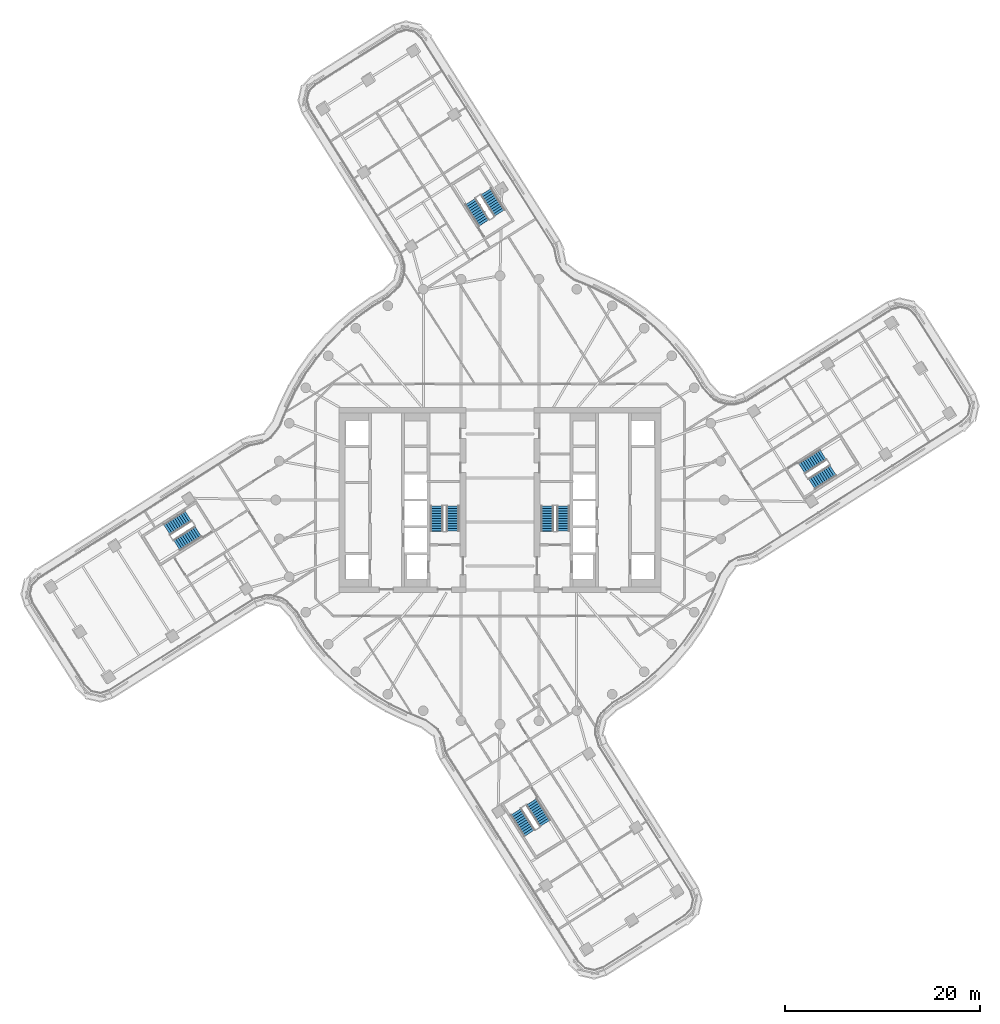
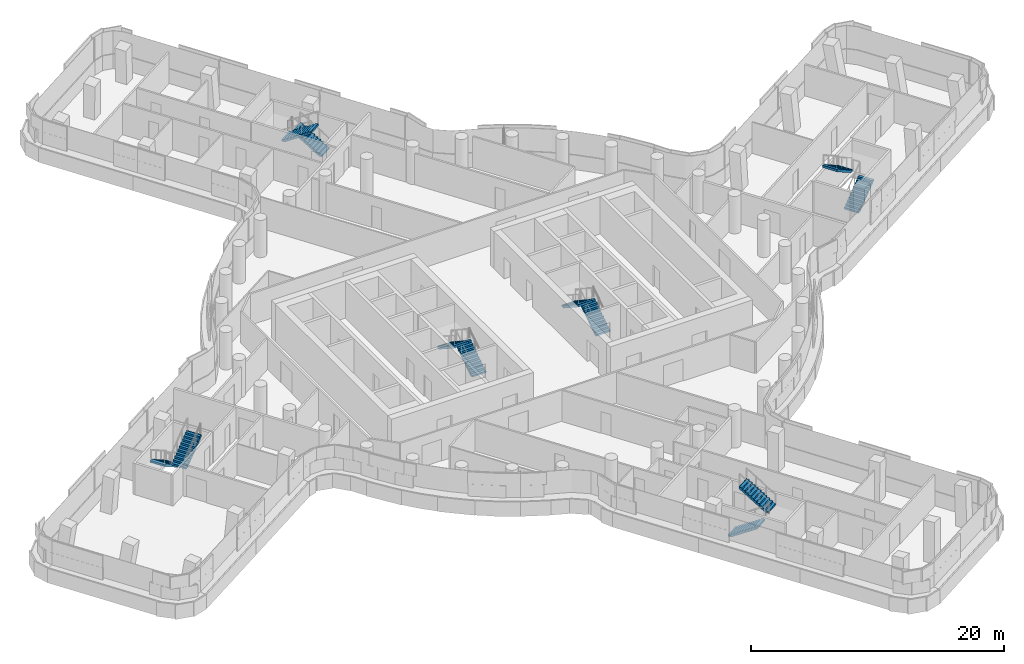
# One storey, part 28 of 36: 12 stair flights, 6 elements without a shape of their own.
"""IFC4 building model written with IfcOpenShell, lengths in metres."""

from ifc_helpers import new_model, si_unit, direction, frame, origin, place, context, subcontext, project, spatial, polyline, outline, extrude, material, type_object, element, aggregate, save


model = new_model("IFC4")

# Units and contexts
model_context = context("Model", 3, precision=1e-05, world=origin(), true_north=direction((0.0, 1.0)))
body_context = subcontext(model_context, "Body", "Model", "MODEL_VIEW")
ifc_project = project(units=[si_unit("LENGTHUNIT", "METRE"), si_unit("AREAUNIT", "SQUARE_METRE"), si_unit("VOLUMEUNIT", "CUBIC_METRE"), si_unit("PLANEANGLEUNIT", "RADIAN"), si_unit("MASSUNIT", "GRAM", prefix="KILO")], contexts=[model_context])

# Site, building, storey
site_placement = place(None, origin())
site = spatial("IfcSite", under=ifc_project, at=site_placement, CompositionType="ELEMENT")
building_placement = place(site_placement, origin())
building = spatial("IfcBuilding", under=site, at=building_placement, Name="Tamarind Cross Interchange Tower", CompositionType="ELEMENT")
storey_placement = place(building_placement, frame((0.0, 0.0, 151.75)))
storey = spatial("IfcBuildingStorey", under=building, at=storey_placement, Name="L37", CompositionType="ELEMENT", Elevation=151.75)

# Stair, stair flights
ifc_material_1 = material(Name="Exit stair")
stair_type = type_object("IfcStairType", Name="Exit stair", PredefinedType="HALF_TURN_STAIR", material=ifc_material_1)
stair_1_placement = place(storey_placement, origin())
stair_1 = element("IfcStair", 1, at=stair_1_placement, inside=storey, type_object=stair_type, Name="L37 exit stair ST1", PredefinedType="HALF_TURN_STAIR")
ifc_material_2 = material(Name="Exit stair flight")
stair_flight_type = type_object("IfcStairFlightType", Name="Exit stair flight", PredefinedType="STRAIGHT", material=ifc_material_2)
stair_flight_1_placement = place(storey_placement, frame((-4.85009765625, -3.199951171875, 0.0), z_axis=(0.0, 0.0, 1.0), x_axis=(0.0, 1.0, 0.0)))
stair_flight_1 = element("IfcStairFlight", 2, at=stair_flight_1_placement, type_object=stair_flight_type, Name="ST1 flight 1", NumberOfRisers=11, NumberOfTreads=10, PredefinedType="STRAIGHT", RiserHeight=0.170454545, TreadLength=0.26, context=body_context, shape_type="SweptSolid", body=[
    extrude(outline(polyline([(0.0, 0.0), (0.0, 0.17041015625), (0.260009765625, 0.17041015625), (0.260009765625, 0.3408203125), (0.52001953125, 0.3408203125), (0.52001953125, 0.511474609375), (0.780029296875, 0.511474609375), (0.780029296875, 0.681884765625), (1.0400390625, 0.681884765625), (1.0400390625, 0.852294921875), (1.300048828125, 0.852294921875), (1.300048828125, 1.022705078125), (1.56005859375, 1.022705078125), (1.56005859375, 1.193115234375), (1.820068359375, 1.193115234375), (1.820068359375, 1.363525390625), (2.080078125, 1.363525390625), (2.080078125, 1.5341796875), (2.340087890625, 1.5341796875), (2.340087890625, 1.70458984375), (2.60009765625, 1.70458984375), (2.60009765625, 1.875), (2.60009765625, 1.525390625), (0.2734375, 0.0), (0.0, 0.0)])), frame((0.0, 0.64990234375, 0.0), z_axis=(0.0, -1.0, 0.0), x_axis=(1.0, 0.0, 0.0)), (0.0, 0.0, 1.0), 1.300048828125),
])
stair_flight_2_placement = place(storey_placement, frame((-6.5, -0.60009765625, 1.875), z_axis=(0.0, 0.0, 1.0), x_axis=(0.0, -1.0, 0.0)))
stair_flight_2 = element("IfcStairFlight", 3, at=stair_flight_2_placement, type_object=stair_flight_type, Name="ST1 flight 2", NumberOfRisers=11, NumberOfTreads=10, PredefinedType="STRAIGHT", RiserHeight=0.170454545, TreadLength=0.26, context=body_context, shape_type="SweptSolid", body=[
    extrude(outline(polyline([(0.0, 0.0), (0.0, 0.17041015625), (0.260009765625, 0.17041015625), (0.260009765625, 0.3408203125), (0.52001953125, 0.3408203125), (0.52001953125, 0.511474609375), (0.780029296875, 0.511474609375), (0.780029296875, 0.681884765625), (1.0400390625, 0.681884765625), (1.0400390625, 0.852294921875), (1.300048828125, 0.852294921875), (1.300048828125, 1.022705078125), (1.56005859375, 1.022705078125), (1.56005859375, 1.193115234375), (1.820068359375, 1.193115234375), (1.820068359375, 1.363525390625), (2.080078125, 1.363525390625), (2.080078125, 1.5341796875), (2.340087890625, 1.5341796875), (2.340087890625, 1.70458984375), (2.60009765625, 1.70458984375), (2.60009765625, 1.7548828125), (2.612060546875, 1.7548828125), (2.612060546875, 1.533203125), (0.2734375, 0.0), (0.0, 0.0)])), frame((0.0, 0.64990234375, 0.0), z_axis=(0.0, -1.0, 0.0), x_axis=(1.0, 0.0, 0.0)), (0.0, 0.0, 1.0), 1.300048828125),
])
aggregate(stair_1, [stair_flight_1, stair_flight_2])

stair_2_placement = place(storey_placement, origin())
stair_2 = element("IfcStair", 4, at=stair_2_placement, inside=storey, type_object=stair_type, Name="L37 exit stair ST2", PredefinedType="HALF_TURN_STAIR")
stair_flight_3_placement = place(storey_placement, frame((6.5, -3.199951171875, 0.0), z_axis=(0.0, 0.0, 1.0), x_axis=(0.0, 1.0, 0.0)))
stair_flight_3 = element("IfcStairFlight", 5, at=stair_flight_3_placement, type_object=stair_flight_type, Name="ST2 flight 1", NumberOfRisers=11, NumberOfTreads=10, PredefinedType="STRAIGHT", RiserHeight=0.170454545, TreadLength=0.26, context=body_context, shape_type="SweptSolid", body=[
    extrude(outline(polyline([(0.0, 0.0), (0.0, 0.17041015625), (0.260009765625, 0.17041015625), (0.260009765625, 0.3408203125), (0.52001953125, 0.3408203125), (0.52001953125, 0.511474609375), (0.780029296875, 0.511474609375), (0.780029296875, 0.681884765625), (1.0400390625, 0.681884765625), (1.0400390625, 0.852294921875), (1.300048828125, 0.852294921875), (1.300048828125, 1.022705078125), (1.56005859375, 1.022705078125), (1.56005859375, 1.193115234375), (1.820068359375, 1.193115234375), (1.820068359375, 1.363525390625), (2.080078125, 1.363525390625), (2.080078125, 1.5341796875), (2.340087890625, 1.5341796875), (2.340087890625, 1.70458984375), (2.60009765625, 1.70458984375), (2.60009765625, 1.875), (2.60009765625, 1.525390625), (0.2734375, 0.0), (0.0, 0.0)])), frame((0.0, 0.64990234375, 0.0), z_axis=(0.0, -1.0, 0.0), x_axis=(1.0, 0.0, 0.0)), (0.0, 0.0, 1.0), 1.300048828125),
])
stair_flight_4_placement = place(storey_placement, frame((4.85009765625, -0.60009765625, 1.875), z_axis=(0.0, 0.0, 1.0), x_axis=(0.0, -1.0, 0.0)))
stair_flight_4 = element("IfcStairFlight", 6, at=stair_flight_4_placement, type_object=stair_flight_type, Name="ST2 flight 2", NumberOfRisers=11, NumberOfTreads=10, PredefinedType="STRAIGHT", RiserHeight=0.170454545, TreadLength=0.26, context=body_context, shape_type="SweptSolid", body=[
    extrude(outline(polyline([(0.0, 0.0), (0.0, 0.17041015625), (0.260009765625, 0.17041015625), (0.260009765625, 0.3408203125), (0.52001953125, 0.3408203125), (0.52001953125, 0.511474609375), (0.780029296875, 0.511474609375), (0.780029296875, 0.681884765625), (1.0400390625, 0.681884765625), (1.0400390625, 0.852294921875), (1.300048828125, 0.852294921875), (1.300048828125, 1.022705078125), (1.56005859375, 1.022705078125), (1.56005859375, 1.193115234375), (1.820068359375, 1.193115234375), (1.820068359375, 1.363525390625), (2.080078125, 1.363525390625), (2.080078125, 1.5341796875), (2.340087890625, 1.5341796875), (2.340087890625, 1.70458984375), (2.60009765625, 1.70458984375), (2.60009765625, 1.7548828125), (2.612060546875, 1.7548828125), (2.612060546875, 1.533203125), (0.2734375, 0.0), (0.0, 0.0)])), frame((0.0, 0.64990234375, 0.0), z_axis=(0.0, -1.0, 0.0), x_axis=(1.0, 0.0, 0.0)), (0.0, 0.0, 1.0), 1.300048828125),
])
aggregate(stair_2, [stair_flight_3, stair_flight_4])

stair_3_placement = place(storey_placement, origin())
stair_3 = element("IfcStair", 7, at=stair_3_placement, inside=storey, type_object=stair_type, Name="L37 exit stair ST3", PredefinedType="HALF_TURN_STAIR")
stair_flight_5_placement = place(storey_placement, frame((31.968994140625, 1.646240234375, 0.0), z_axis=(0.0, 0.0, 1.0), x_axis=(0.844432651118, 0.535661738157, 0.0)))
stair_flight_5 = element("IfcStairFlight", 8, at=stair_flight_5_placement, type_object=stair_flight_type, Name="ST3 flight 1", NumberOfRisers=11, NumberOfTreads=10, PredefinedType="STRAIGHT", RiserHeight=0.170454545, TreadLength=0.26, context=body_context, shape_type="SweptSolid", body=[
    extrude(outline(polyline([(0.0, 0.0), (0.0, 0.17041015625), (0.260009765625, 0.17041015625), (0.260009765625, 0.3408203125), (0.52001953125, 0.3408203125), (0.52001953125, 0.511474609375), (0.780029296875, 0.511474609375), (0.780029296875, 0.681884765625), (1.0400390625, 0.681884765625), (1.0400390625, 0.852294921875), (1.300048828125, 0.852294921875), (1.300048828125, 1.022705078125), (1.56005859375, 1.022705078125), (1.56005859375, 1.193115234375), (1.820068359375, 1.193115234375), (1.820068359375, 1.363525390625), (2.080078125, 1.363525390625), (2.080078125, 1.5341796875), (2.340087890625, 1.5341796875), (2.340087890625, 1.70458984375), (2.60009765625, 1.70458984375), (2.60009765625, 1.875), (2.60009765625, 1.525390625), (0.2734375, 0.0), (0.0, 0.0)])), frame((0.0, 0.64990234375, 0.0), z_axis=(0.0, -1.0, 0.0), x_axis=(1.0, 0.0, 0.0)), (0.0, 0.0, 1.0), 1.300048828125),
])
stair_flight_6_placement = place(storey_placement, frame((33.14697265625, 4.643310546875, 1.875), z_axis=(0.0, 0.0, 1.0), x_axis=(-0.844432651118, -0.535661738157, 0.0)))
stair_flight_6 = element("IfcStairFlight", 9, at=stair_flight_6_placement, type_object=stair_flight_type, Name="ST3 flight 2", NumberOfRisers=11, NumberOfTreads=10, PredefinedType="STRAIGHT", RiserHeight=0.170454545, TreadLength=0.26, context=body_context, shape_type="SweptSolid", body=[
    extrude(outline(polyline([(0.0, 0.0), (0.0, 0.17041015625), (0.260009765625, 0.17041015625), (0.260009765625, 0.3408203125), (0.52001953125, 0.3408203125), (0.52001953125, 0.511474609375), (0.780029296875, 0.511474609375), (0.780029296875, 0.681884765625), (1.0400390625, 0.681884765625), (1.0400390625, 0.852294921875), (1.300048828125, 0.852294921875), (1.300048828125, 1.022705078125), (1.56005859375, 1.022705078125), (1.56005859375, 1.193115234375), (1.820068359375, 1.193115234375), (1.820068359375, 1.363525390625), (2.080078125, 1.363525390625), (2.080078125, 1.5341796875), (2.340087890625, 1.5341796875), (2.340087890625, 1.70458984375), (2.60009765625, 1.70458984375), (2.60009765625, 1.7548828125), (2.612060546875, 1.7548828125), (2.612060546875, 1.533203125), (0.2734375, 0.0), (0.0, 0.0)])), frame((0.0, 0.64990234375, 0.0), z_axis=(0.0, -1.0, 0.0), x_axis=(1.0, 0.0, 0.0)), (0.0, 0.0, 1.0), 1.300048828125),
])
aggregate(stair_3, [stair_flight_5, stair_flight_6])

stair_4_placement = place(storey_placement, origin())
stair_4 = element("IfcStair", 10, at=stair_4_placement, inside=storey, type_object=stair_type, Name="L37 exit stair ST4", PredefinedType="HALF_TURN_STAIR")
stair_flight_7_placement = place(storey_placement, frame((-0.0390625, 29.435791015625, 0.0), z_axis=(0.0, 0.0, 1.0), x_axis=(-0.535661738157, 0.844432651118, 0.0)))
stair_flight_7 = element("IfcStairFlight", 11, at=stair_flight_7_placement, type_object=stair_flight_type, Name="ST4 flight 1", NumberOfRisers=11, NumberOfTreads=10, PredefinedType="STRAIGHT", RiserHeight=0.170454545, TreadLength=0.26, context=body_context, shape_type="SweptSolid", body=[
    extrude(outline(polyline([(0.0, 0.0), (0.0, 0.17041015625), (0.260009765625, 0.17041015625), (0.260009765625, 0.3408203125), (0.52001953125, 0.3408203125), (0.52001953125, 0.511474609375), (0.780029296875, 0.511474609375), (0.780029296875, 0.681884765625), (1.0400390625, 0.681884765625), (1.0400390625, 0.852294921875), (1.300048828125, 0.852294921875), (1.300048828125, 1.022705078125), (1.56005859375, 1.022705078125), (1.56005859375, 1.193115234375), (1.820068359375, 1.193115234375), (1.820068359375, 1.363525390625), (2.080078125, 1.363525390625), (2.080078125, 1.5341796875), (2.340087890625, 1.5341796875), (2.340087890625, 1.70458984375), (2.60009765625, 1.70458984375), (2.60009765625, 1.875), (2.60009765625, 1.525390625), (0.2734375, 0.0), (0.0, 0.0)])), frame((0.0, 0.64990234375, 0.0), z_axis=(0.0, -1.0, 0.0), x_axis=(1.0, 0.0, 0.0)), (0.0, 0.0, 1.0), 1.300048828125),
])
stair_flight_8_placement = place(storey_placement, frame((-3.036376953125, 30.613525390625, 1.875), z_axis=(0.0, 0.0, 1.0), x_axis=(0.535661738157, -0.844432651118, 0.0)))
stair_flight_8 = element("IfcStairFlight", 12, at=stair_flight_8_placement, type_object=stair_flight_type, Name="ST4 flight 2", NumberOfRisers=11, NumberOfTreads=10, PredefinedType="STRAIGHT", RiserHeight=0.170454545, TreadLength=0.26, context=body_context, shape_type="SweptSolid", body=[
    extrude(outline(polyline([(0.0, 0.0), (0.0, 0.17041015625), (0.260009765625, 0.17041015625), (0.260009765625, 0.3408203125), (0.52001953125, 0.3408203125), (0.52001953125, 0.511474609375), (0.780029296875, 0.511474609375), (0.780029296875, 0.681884765625), (1.0400390625, 0.681884765625), (1.0400390625, 0.852294921875), (1.300048828125, 0.852294921875), (1.300048828125, 1.022705078125), (1.56005859375, 1.022705078125), (1.56005859375, 1.193115234375), (1.820068359375, 1.193115234375), (1.820068359375, 1.363525390625), (2.080078125, 1.363525390625), (2.080078125, 1.5341796875), (2.340087890625, 1.5341796875), (2.340087890625, 1.70458984375), (2.60009765625, 1.70458984375), (2.60009765625, 1.7548828125), (2.612060546875, 1.7548828125), (2.612060546875, 1.533203125), (0.2734375, 0.0), (0.0, 0.0)])), frame((0.0, 0.64990234375, 0.0), z_axis=(0.0, -1.0, 0.0), x_axis=(1.0, 0.0, 0.0)), (0.0, 0.0, 1.0), 1.300048828125),
])
aggregate(stair_4, [stair_flight_7, stair_flight_8])

stair_5_placement = place(storey_placement, origin())
stair_5 = element("IfcStair", 13, at=stair_5_placement, inside=storey, type_object=stair_type, Name="L37 exit stair ST5", PredefinedType="HALF_TURN_STAIR")
stair_flight_9_placement = place(storey_placement, frame((-31.968994140625, -1.646240234375, 0.0), z_axis=(0.0, 0.0, 1.0), x_axis=(-0.844432651118, -0.535661738157, 0.0)))
stair_flight_9 = element("IfcStairFlight", 14, at=stair_flight_9_placement, type_object=stair_flight_type, Name="ST5 flight 1", NumberOfRisers=11, NumberOfTreads=10, PredefinedType="STRAIGHT", RiserHeight=0.170454545, TreadLength=0.26, context=body_context, shape_type="SweptSolid", body=[
    extrude(outline(polyline([(0.0, 0.0), (0.0, 0.17041015625), (0.260009765625, 0.17041015625), (0.260009765625, 0.3408203125), (0.52001953125, 0.3408203125), (0.52001953125, 0.511474609375), (0.780029296875, 0.511474609375), (0.780029296875, 0.681884765625), (1.0400390625, 0.681884765625), (1.0400390625, 0.852294921875), (1.300048828125, 0.852294921875), (1.300048828125, 1.022705078125), (1.56005859375, 1.022705078125), (1.56005859375, 1.193115234375), (1.820068359375, 1.193115234375), (1.820068359375, 1.363525390625), (2.080078125, 1.363525390625), (2.080078125, 1.5341796875), (2.340087890625, 1.5341796875), (2.340087890625, 1.70458984375), (2.60009765625, 1.70458984375), (2.60009765625, 1.875), (2.60009765625, 1.525390625), (0.2734375, 0.0), (0.0, 0.0)])), frame((0.0, 0.64990234375, 0.0), z_axis=(0.0, -1.0, 0.0), x_axis=(1.0, 0.0, 0.0)), (0.0, 0.0, 1.0), 1.300048828125),
])
stair_flight_10_placement = place(storey_placement, frame((-33.14697265625, -4.643310546875, 1.875), z_axis=(0.0, 0.0, 1.0), x_axis=(0.844432651118, 0.535661738157, 0.0)))
stair_flight_10 = element("IfcStairFlight", 15, at=stair_flight_10_placement, type_object=stair_flight_type, Name="ST5 flight 2", NumberOfRisers=11, NumberOfTreads=10, PredefinedType="STRAIGHT", RiserHeight=0.170454545, TreadLength=0.26, context=body_context, shape_type="SweptSolid", body=[
    extrude(outline(polyline([(0.0, 0.0), (0.0, 0.17041015625), (0.260009765625, 0.17041015625), (0.260009765625, 0.3408203125), (0.52001953125, 0.3408203125), (0.52001953125, 0.511474609375), (0.780029296875, 0.511474609375), (0.780029296875, 0.681884765625), (1.0400390625, 0.681884765625), (1.0400390625, 0.852294921875), (1.300048828125, 0.852294921875), (1.300048828125, 1.022705078125), (1.56005859375, 1.022705078125), (1.56005859375, 1.193115234375), (1.820068359375, 1.193115234375), (1.820068359375, 1.363525390625), (2.080078125, 1.363525390625), (2.080078125, 1.5341796875), (2.340087890625, 1.5341796875), (2.340087890625, 1.70458984375), (2.60009765625, 1.70458984375), (2.60009765625, 1.7548828125), (2.612060546875, 1.7548828125), (2.612060546875, 1.533203125), (0.2734375, 0.0), (0.0, 0.0)])), frame((0.0, 0.64990234375, 0.0), z_axis=(0.0, -1.0, 0.0), x_axis=(1.0, 0.0, 0.0)), (0.0, 0.0, 1.0), 1.300048828125),
])
aggregate(stair_5, [stair_flight_9, stair_flight_10])

stair_6_placement = place(storey_placement, origin())
stair_6 = element("IfcStair", 16, at=stair_6_placement, inside=storey, type_object=stair_type, Name="L37 exit stair ST6", PredefinedType="HALF_TURN_STAIR")
stair_flight_11_placement = place(storey_placement, frame((1.646240234375, -31.968994140625, 0.0), z_axis=(0.0, 0.0, 1.0), x_axis=(0.535661738157, -0.844432651118, 0.0)))
stair_flight_11 = element("IfcStairFlight", 17, at=stair_flight_11_placement, type_object=stair_flight_type, Name="ST6 flight 1", NumberOfRisers=11, NumberOfTreads=10, PredefinedType="STRAIGHT", RiserHeight=0.170454545, TreadLength=0.26, context=body_context, shape_type="SweptSolid", body=[
    extrude(outline(polyline([(0.0, 0.0), (0.0, 0.17041015625), (0.260009765625, 0.17041015625), (0.260009765625, 0.3408203125), (0.52001953125, 0.3408203125), (0.52001953125, 0.511474609375), (0.780029296875, 0.511474609375), (0.780029296875, 0.681884765625), (1.0400390625, 0.681884765625), (1.0400390625, 0.852294921875), (1.300048828125, 0.852294921875), (1.300048828125, 1.022705078125), (1.56005859375, 1.022705078125), (1.56005859375, 1.193115234375), (1.820068359375, 1.193115234375), (1.820068359375, 1.363525390625), (2.080078125, 1.363525390625), (2.080078125, 1.5341796875), (2.340087890625, 1.5341796875), (2.340087890625, 1.70458984375), (2.60009765625, 1.70458984375), (2.60009765625, 1.875), (2.60009765625, 1.525390625), (0.2734375, 0.0), (0.0, 0.0)])), frame((0.0, 0.64990234375, 0.0), z_axis=(0.0, -1.0, 0.0), x_axis=(1.0, 0.0, 0.0)), (0.0, 0.0, 1.0), 1.300048828125),
])
stair_flight_12_placement = place(storey_placement, frame((4.643310546875, -33.14697265625, 1.875), z_axis=(0.0, 0.0, 1.0), x_axis=(-0.535661738157, 0.844432651118, 0.0)))
stair_flight_12 = element("IfcStairFlight", 18, at=stair_flight_12_placement, type_object=stair_flight_type, Name="ST6 flight 2", NumberOfRisers=11, NumberOfTreads=10, PredefinedType="STRAIGHT", RiserHeight=0.170454545, TreadLength=0.26, context=body_context, shape_type="SweptSolid", body=[
    extrude(outline(polyline([(0.0, 0.0), (0.0, 0.17041015625), (0.260009765625, 0.17041015625), (0.260009765625, 0.3408203125), (0.52001953125, 0.3408203125), (0.52001953125, 0.511474609375), (0.780029296875, 0.511474609375), (0.780029296875, 0.681884765625), (1.0400390625, 0.681884765625), (1.0400390625, 0.852294921875), (1.300048828125, 0.852294921875), (1.300048828125, 1.022705078125), (1.56005859375, 1.022705078125), (1.56005859375, 1.193115234375), (1.820068359375, 1.193115234375), (1.820068359375, 1.363525390625), (2.080078125, 1.363525390625), (2.080078125, 1.5341796875), (2.340087890625, 1.5341796875), (2.340087890625, 1.70458984375), (2.60009765625, 1.70458984375), (2.60009765625, 1.7548828125), (2.612060546875, 1.7548828125), (2.612060546875, 1.533203125), (0.2734375, 0.0), (0.0, 0.0)])), frame((0.0, 0.64990234375, 0.0), z_axis=(0.0, -1.0, 0.0), x_axis=(1.0, 0.0, 0.0)), (0.0, 0.0, 1.0), 1.300048828125),
])
aggregate(stair_6, [stair_flight_11, stair_flight_12])

save(model, "model.ifc")
